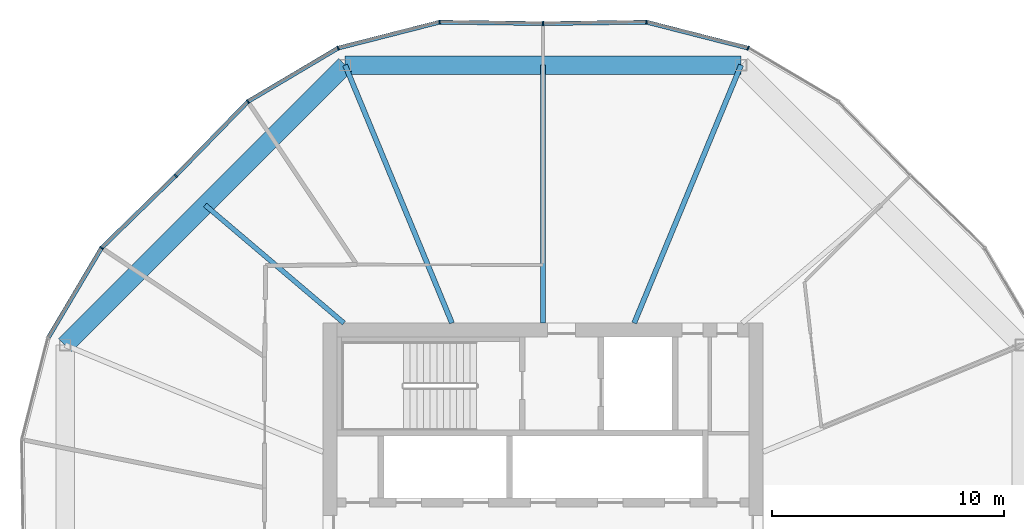
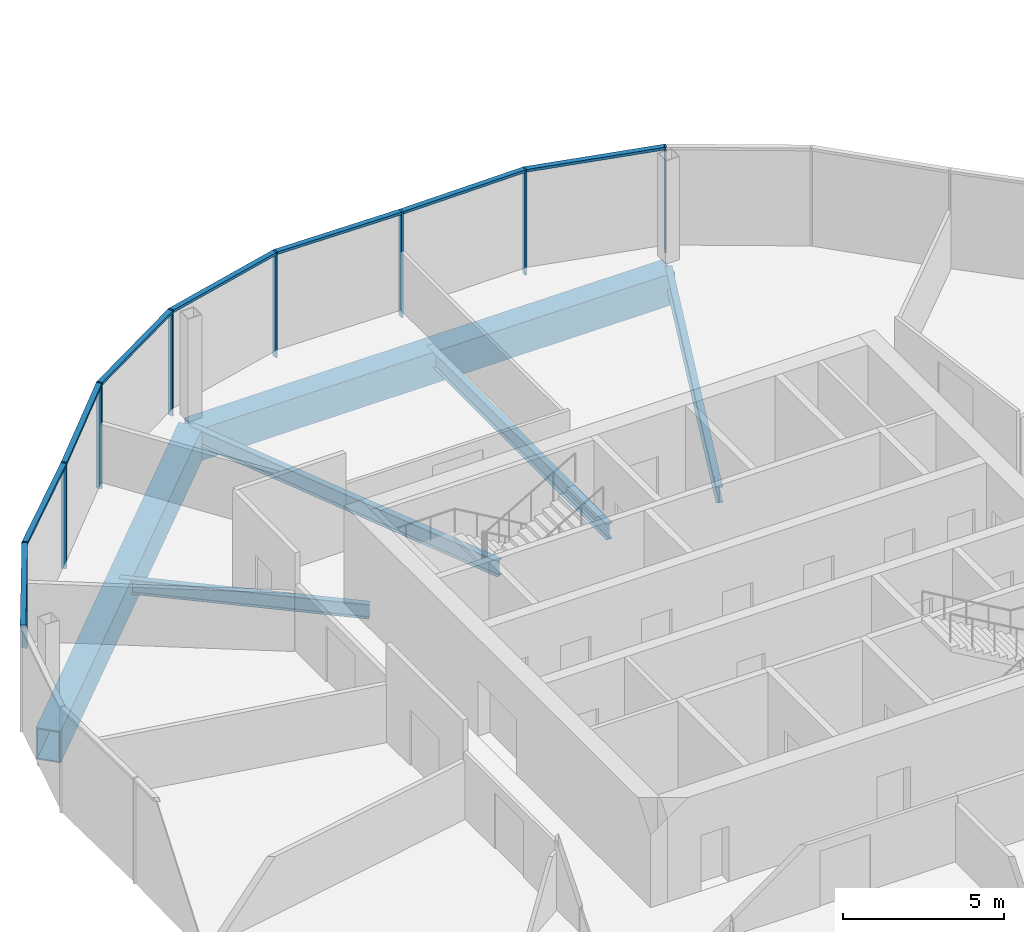
# One storey, part 9 of 26: 16 members, 6 beams, 3 elements without a shape of their own.
"""IFC4 building model written with IfcOpenShell, lengths in metres."""

from ifc_helpers import new_model, si_unit, direction, frame, origin, origin_2d, place, context, subcontext, project, spatial, rectangle, hollow_rectangle, i_section, extrude, material, material_profile, profile_set, type_object, element, aggregate, save


model = new_model("IFC4")

# Units and contexts
model_context = context("Model", 3, precision=1e-05, world=origin(), true_north=direction((0.0, 1.0)))
body_context = subcontext(model_context, "Body", "Model", "MODEL_VIEW")
ifc_project = project(units=[si_unit("LENGTHUNIT", "METRE"), si_unit("AREAUNIT", "SQUARE_METRE"), si_unit("VOLUMEUNIT", "CUBIC_METRE"), si_unit("PLANEANGLEUNIT", "RADIAN"), si_unit("MASSUNIT", "GRAM", prefix="KILO")], contexts=[model_context])

# Site, building, storey
site_placement = place(None, origin())
site = spatial("IfcSite", under=ifc_project, at=site_placement, CompositionType="ELEMENT")
building_placement = place(site_placement, origin())
building = spatial("IfcBuilding", under=site, at=building_placement, Name="Ogive Gate Towers", CompositionType="ELEMENT")
storey_placement = place(building_placement, frame((0.0, 0.0, 156.800048828125)))
storey = spatial("IfcBuildingStorey", under=building, at=storey_placement, Name="L37", CompositionType="ELEMENT", Elevation=156.800048828125)

# Beams
ifc_material_1 = material(Name="Steel SM460", Category="steel")
ifc_material_profile_1 = material_profile(ifc_material_1, hollow_rectangle(XDim=0.800048828125, YDim=1.199951171875, WallThickness=0.050048828125, at=origin_2d()), Name="BX 1200x800x50")
ifc_profile_set_1 = profile_set([ifc_material_profile_1], Name="Steel SM460")
beam_type_1 = type_object("IfcBeamType", Name="Edge girder BX 1200x800x50", PredefinedType="BEAM", material=ifc_profile_set_1)
beam_1_placement = place(storey_placement, frame((-27.450927734375, 20.639404296875, -0.900146484375), z_axis=(-1.0, 0.0, 0.0), x_axis=(0.0, -1.0, 0.0)))
element("IfcBeam", 1, at=beam_1_placement, inside=storey, type_object=beam_type_1, Name="T1/L37/SBM022", PredefinedType="BEAM", context=body_context, shape_type="SweptSolid", body=[
    extrude(hollow_rectangle(XDim=0.800048828125, YDim=1.199951171875, WallThickness=0.050048828125, at=origin_2d()), origin(), (0.0, 0.0, 1.0), 17.09814453125),
])
beam_2_placement = place(storey_placement, frame((-44.549072265625, 20.639404296875, -0.900146484375), z_axis=(-0.707106781187, -0.707106781187, 0.0), x_axis=(0.707106781187, -0.707106781187, 0.0)))
element("IfcBeam", 2, at=beam_2_placement, inside=storey, type_object=beam_type_1, Name="T1/L37/SBM023", PredefinedType="BEAM", context=body_context, shape_type="SweptSolid", body=[
    extrude(hollow_rectangle(XDim=0.800048828125, YDim=1.199951171875, WallThickness=0.050048828125, at=origin_2d()), origin(), (0.0, 0.0, 1.0), 17.098388671875),
])
ifc_material_2 = material(Name="Steel SM355", Category="steel")
ifc_material_profile_2 = material_profile(ifc_material_2, i_section(OverallWidth=0.2099609375, OverallDepth=0.550048828125, WebThickness=0.010986328125, FlangeThickness=0.01708984375, FilletRadius=0.02392578125, at=origin_2d()), Name="IPE 550")
ifc_profile_set_2 = profile_set([ifc_material_profile_2], Name="Steel SM355")
beam_type_2 = type_object("IfcBeamType", Name="Radial floor beam IPE 550", PredefinedType="BEAM", material=ifc_profile_set_2)
beam_3_placement = place(storey_placement, frame((-44.60009765625, 9.5, -0.574951171875), z_axis=(-0.761988324045, 0.647590761222, 0.0), x_axis=(-0.647590761222, -0.761988324045, 0.0)))
element("IfcBeam", 3, at=beam_3_placement, inside=storey, type_object=beam_type_2, Name="T1/L37/SBM014", PredefinedType="BEAM", context=body_context, shape_type="SweptSolid", body=[
    extrude(i_section(OverallWidth=0.2099609375, OverallDepth=0.550048828125, WebThickness=0.010986328125, FlangeThickness=0.01708984375, FilletRadius=0.02392578125, at=origin_2d()), origin(), (0.0, 0.0, 1.0), 7.866455078125),
])
ifc_material_profile_3 = material_profile(ifc_material_2, i_section(OverallWidth=0.219970703125, OverallDepth=0.60009765625, WebThickness=0.011962890625, FlangeThickness=0.01904296875, FilletRadius=0.02392578125, at=origin_2d()), Name="IPE 600")
ifc_profile_set_3 = profile_set([ifc_material_profile_3], Name="Steel SM355")
beam_type_3 = type_object("IfcBeamType", Name="Radial floor beam IPE 600", PredefinedType="BEAM", material=ifc_profile_set_3)
beam_4_placement = place(storey_placement, frame((-32.06494140625, 9.5, -0.60009765625), z_axis=(0.382677863518, 0.923881839184, 0.0), x_axis=(-0.923881839184, 0.382677863518, 0.0)))
element("IfcBeam", 4, at=beam_4_placement, inside=storey, type_object=beam_type_3, Name="T1/L37/SBM011", PredefinedType="BEAM", context=body_context, shape_type="SweptSolid", body=[
    extrude(i_section(OverallWidth=0.219970703125, OverallDepth=0.60009765625, WebThickness=0.011962890625, FlangeThickness=0.01904296875, FilletRadius=0.02392578125, at=origin_2d()), origin(), (0.0, 0.0, 1.0), 12.05712890625),
])
beam_5_placement = place(storey_placement, frame((-36.0, 9.5, -0.60009765625), z_axis=(0.0, 1.0, 0.0), x_axis=(-1.0, 0.0, 0.0)))
element("IfcBeam", 5, at=beam_5_placement, inside=storey, type_object=beam_type_3, Name="T1/L37/SBM012", PredefinedType="BEAM", context=body_context, shape_type="SweptSolid", body=[
    extrude(i_section(OverallWidth=0.219970703125, OverallDepth=0.60009765625, WebThickness=0.011962890625, FlangeThickness=0.01904296875, FilletRadius=0.02392578125, at=origin_2d()), origin(), (0.0, 0.0, 1.0), 11.139404296875),
])
beam_6_placement = place(storey_placement, frame((-39.93505859375, 9.5, -0.60009765625), z_axis=(-0.382677863518, 0.923881839184, 0.0), x_axis=(-0.923881839184, -0.382677863518, 0.0)))
element("IfcBeam", 6, at=beam_6_placement, inside=storey, type_object=beam_type_3, Name="T1/L37/SBM013", PredefinedType="BEAM", context=body_context, shape_type="SweptSolid", body=[
    extrude(i_section(OverallWidth=0.219970703125, OverallDepth=0.60009765625, WebThickness=0.011962890625, FlangeThickness=0.01904296875, FilletRadius=0.02392578125, at=origin_2d()), origin(), (0.0, 0.0, 1.0), 12.05712890625),
])

# Curtain wall, members
ifc_material_3 = material(Name="Pale metal aluminium", Category="aluminium")
curtain_wall_type = type_object("IfcCurtainWallType", Name="Tower unitised wall, high zone", PredefinedType="NOTDEFINED", material=ifc_material_3)
curtain_wall_1_placement = place(storey_placement, origin())
curtain_wall_1 = element("IfcCurtainWall", 7, at=curtain_wall_1_placement, inside=storey, type_object=curtain_wall_type, Name="CW2 T1 ECW02", PredefinedType="NOTDEFINED")
ifc_material_profile_4 = material_profile(ifc_material_3, rectangle(XDim=0.179931640625, YDim=0.06005859375, at=origin_2d()), Name="60 x 180 aluminium box")
ifc_profile_set_4 = profile_set([ifc_material_profile_4], Name="Pale metal aluminium")
member_type_1 = type_object("IfcMemberType", Name="Tower unitised wall, high zone mullion 60 x 180", PredefinedType="MULLION", material=ifc_profile_set_4)
member_1_placement = place(storey_placement, frame((-27.148193359375, 21.370361328125, -0.300048828125), z_axis=(0.0, 0.0, 1.0), x_axis=(0.382683432365, 0.923879532511, 0.0)))
member_1 = element("IfcMember", 8, at=member_1_placement, type_object=member_type_1, Name="CW2 mullion", PredefinedType="MULLION", context=body_context, shape_type="SweptSolid", body=[
    extrude(rectangle(XDim=0.179931640625, YDim=0.06005859375, at=origin_2d()), origin(), (0.0, 0.0, 1.0), 4.0),
])
member_2_placement = place(storey_placement, frame((-31.533447265625, 22.491455078125, -0.300048828125), z_axis=(0.0, 0.0, 1.0), x_axis=(0.118005356875, 0.9930129585, 0.0)))
member_2 = element("IfcMember", 9, at=member_2_placement, type_object=member_type_1, Name="CW2 mullion", PredefinedType="MULLION", context=body_context, shape_type="SweptSolid", body=[
    extrude(rectangle(XDim=0.179931640625, YDim=0.06005859375, at=origin_2d()), origin(), (0.0, 0.0, 1.0), 4.0),
])
member_3_placement = place(storey_placement, frame((-36.0, 22.429931640625, -0.300048828125), z_axis=(0.0, 0.0, 1.0), x_axis=(-0.013717857647, 0.999905905764, 0.0)))
member_3 = element("IfcMember", 10, at=member_3_placement, type_object=member_type_1, Name="CW2 mullion", PredefinedType="MULLION", context=body_context, shape_type="SweptSolid", body=[
    extrude(rectangle(XDim=0.179931640625, YDim=0.06005859375, at=origin_2d()), origin(), (0.0, 0.0, 1.0), 4.0),
])

curtain_wall_2_placement = place(storey_placement, origin())
curtain_wall_2 = element("IfcCurtainWall", 11, at=curtain_wall_2_placement, inside=storey, type_object=curtain_wall_type, Name="CW2 T1 ECW03", PredefinedType="NOTDEFINED")
member_4_placement = place(storey_placement, frame((-40.466552734375, 22.491455078125, -0.300048828125), z_axis=(0.0, 0.0, 1.0), x_axis=(-0.118005356875, 0.9930129585, 0.0)))
member_4 = element("IfcMember", 12, at=member_4_placement, type_object=member_type_1, Name="CW2 mullion", PredefinedType="MULLION", context=body_context, shape_type="SweptSolid", body=[
    extrude(rectangle(XDim=0.179931640625, YDim=0.06005859375, at=origin_2d()), origin(), (0.0, 0.0, 1.0), 4.0),
])
member_5_placement = place(storey_placement, frame((-44.851806640625, 21.370361328125, -0.300048828125), z_axis=(0.0, 0.0, 1.0), x_axis=(-0.382683432365, 0.923879532511, 0.0)))
member_5 = element("IfcMember", 13, at=member_5_placement, type_object=member_type_1, Name="CW2 mullion", PredefinedType="MULLION", context=body_context, shape_type="SweptSolid", body=[
    extrude(rectangle(XDim=0.179931640625, YDim=0.06005859375, at=origin_2d()), origin(), (0.0, 0.0, 1.0), 4.0),
])
member_6_placement = place(storey_placement, frame((-48.745361328125, 19.06201171875, -0.300048828125), z_axis=(0.0, 0.0, 1.0), x_axis=(-0.618710097148, 0.785619383472, 0.0)))
member_6 = element("IfcMember", 14, at=member_6_placement, type_object=member_type_1, Name="CW2 mullion", PredefinedType="MULLION", context=body_context, shape_type="SweptSolid", body=[
    extrude(rectangle(XDim=0.179931640625, YDim=0.06005859375, at=origin_2d()), origin(), (0.0, 0.0, 1.0), 4.0),
])
member_7_placement = place(storey_placement, frame((-51.8603515625, 15.860595703125, -0.300048828125), z_axis=(0.0, 0.0, 1.0), x_axis=(-0.716728065687, 0.697352765719, 0.0)))
member_7 = element("IfcMember", 15, at=member_7_placement, type_object=member_type_1, Name="CW2 mullion", PredefinedType="MULLION", context=body_context, shape_type="SweptSolid", body=[
    extrude(rectangle(XDim=0.179931640625, YDim=0.06005859375, at=origin_2d()), origin(), (0.0, 0.0, 1.0), 4.0),
])

# Curtain wall, member
curtain_wall_3_placement = place(storey_placement, origin())
curtain_wall_3 = element("IfcCurtainWall", 16, at=curtain_wall_3_placement, inside=storey, type_object=curtain_wall_type, Name="CW2 T1 ECW04", PredefinedType="NOTDEFINED")
member_8_placement = place(storey_placement, frame((-55.06201171875, 12.745361328125, -0.300048828125), z_axis=(0.0, 0.0, 1.0), x_axis=(-0.785619383472, 0.618710097148, 0.0)))
member_8 = element("IfcMember", 17, at=member_8_placement, type_object=member_type_1, Name="CW2 mullion", PredefinedType="MULLION", context=body_context, shape_type="SweptSolid", body=[
    extrude(rectangle(XDim=0.179931640625, YDim=0.06005859375, at=origin_2d()), origin(), (0.0, 0.0, 1.0), 4.0),
])

# Member
ifc_material_profile_5 = material_profile(ifc_material_3, rectangle(XDim=0.179931640625, YDim=0.10009765625, at=origin_2d()), Name="100 x 180 aluminium box")
ifc_profile_set_5 = profile_set([ifc_material_profile_5], Name="Pale metal aluminium")
member_type_2 = type_object("IfcMemberType", Name="Tower unitised wall, high zone transom 100 x 180", PredefinedType="USERDEFINED", material=ifc_profile_set_5)
member_9_placement = place(storey_placement, frame((-27.17578125, 21.377197265625, 3.64990234375), z_axis=(-0.968840212486, 0.247686581529, 0.0), x_axis=(-0.247686581529, -0.968840212486, 0.0)))
member_9 = element("IfcMember", 18, at=member_9_placement, type_object=member_type_2, Name="CW2 transom", ObjectType="TRANSOM", PredefinedType="USERDEFINED", context=body_context, shape_type="SweptSolid", body=[
    extrude(rectangle(XDim=0.179931640625, YDim=0.10009765625, at=origin_2d()), origin(), (0.0, 0.0, 1.0), 4.468994140625),
])

member_10_placement = place(storey_placement, frame((-31.56201171875, 22.490966796875, 3.64990234375), z_axis=(-0.999905677146, -0.013734511655, 0.0), x_axis=(0.013734511655, -0.999905677146, 0.0)))
member_10 = element("IfcMember", 19, at=member_10_placement, type_object=member_type_2, Name="CW2 transom", ObjectType="TRANSOM", PredefinedType="USERDEFINED", context=body_context, shape_type="SweptSolid", body=[
    extrude(rectangle(XDim=0.179931640625, YDim=0.10009765625, at=origin_2d()), origin(), (0.0, 0.0, 1.0), 4.408447265625),
])

aggregate(curtain_wall_1, [member_1, member_2, member_9, member_3, member_10])

member_11_placement = place(storey_placement, frame((-36.030029296875, 22.430419921875, 3.64990234375), z_axis=(-0.999905677146, 0.013734511655, 0.0), x_axis=(-0.013734511655, -0.999905677146, 0.0)))
member_11 = element("IfcMember", 20, at=member_11_placement, type_object=member_type_2, Name="CW2 transom", ObjectType="TRANSOM", PredefinedType="USERDEFINED", context=body_context, shape_type="SweptSolid", body=[
    extrude(rectangle(XDim=0.179931640625, YDim=0.10009765625, at=origin_2d()), origin(), (0.0, 0.0, 1.0), 4.408447265625),
])

member_12_placement = place(storey_placement, frame((-40.494384765625, 22.484130859375, 3.64990234375), z_axis=(-0.968840212486, -0.247686581529, 0.0), x_axis=(0.247686581529, -0.968840212486, 0.0)))
member_12 = element("IfcMember", 21, at=member_12_placement, type_object=member_type_2, Name="CW2 transom", ObjectType="TRANSOM", PredefinedType="USERDEFINED", context=body_context, shape_type="SweptSolid", body=[
    extrude(rectangle(XDim=0.179931640625, YDim=0.10009765625, at=origin_2d()), origin(), (0.0, 0.0, 1.0), 4.468994140625),
])

member_13_placement = place(storey_placement, frame((-44.87646484375, 21.355712890625, 3.64990234375), z_axis=(-0.860194793579, -0.50996560384, 0.0), x_axis=(0.50996560384, -0.860194793579, 0.0)))
member_13 = element("IfcMember", 22, at=member_13_placement, type_object=member_type_2, Name="CW2 transom", ObjectType="TRANSOM", PredefinedType="USERDEFINED", context=body_context, shape_type="SweptSolid", body=[
    extrude(rectangle(XDim=0.179931640625, YDim=0.10009765625, at=origin_2d()), origin(), (0.0, 0.0, 1.0), 4.468994140625),
])

member_14_placement = place(storey_placement, frame((-48.765380859375, 19.04150390625, 3.64990234375), z_axis=(-0.697348039288, -0.716732664318, 0.0), x_axis=(0.716732664318, -0.697348039288, 0.0)))
member_14 = element("IfcMember", 23, at=member_14_placement, type_object=member_type_2, Name="CW2 transom", ObjectType="TRANSOM", PredefinedType="USERDEFINED", context=body_context, shape_type="SweptSolid", body=[
    extrude(rectangle(XDim=0.179931640625, YDim=0.10009765625, at=origin_2d()), origin(), (0.0, 0.0, 1.0), 4.408203125),
])

aggregate(curtain_wall_2, [member_4, member_11, member_5, member_12, member_6, member_13, member_7, member_14])

member_15_placement = place(storey_placement, frame((-51.882080078125, 15.83935546875, 3.64990234375), z_axis=(-0.716732664318, -0.697348039288, 0.0), x_axis=(0.697348039288, -0.716732664318, 0.0)))
member_15 = element("IfcMember", 24, at=member_15_placement, type_object=member_type_2, Name="CW2 transom", ObjectType="TRANSOM", PredefinedType="USERDEFINED", context=body_context, shape_type="SweptSolid", body=[
    extrude(rectangle(XDim=0.179931640625, YDim=0.10009765625, at=origin_2d()), origin(), (0.0, 0.0, 1.0), 4.408203125),
])

member_16_placement = place(storey_placement, frame((-55.07666015625, 12.720703125, 3.64990234375), z_axis=(-0.50996560384, -0.860194793579, 0.0), x_axis=(0.860194793579, -0.50996560384, 0.0)))
member_16 = element("IfcMember", 25, at=member_16_placement, type_object=member_type_2, Name="CW2 transom", ObjectType="TRANSOM", PredefinedType="USERDEFINED", context=body_context, shape_type="SweptSolid", body=[
    extrude(rectangle(XDim=0.179931640625, YDim=0.10009765625, at=origin_2d()), origin(), (0.0, 0.0, 1.0), 4.468994140625),
])

aggregate(curtain_wall_3, [member_8, member_15, member_16])

save(model, "model.ifc")
